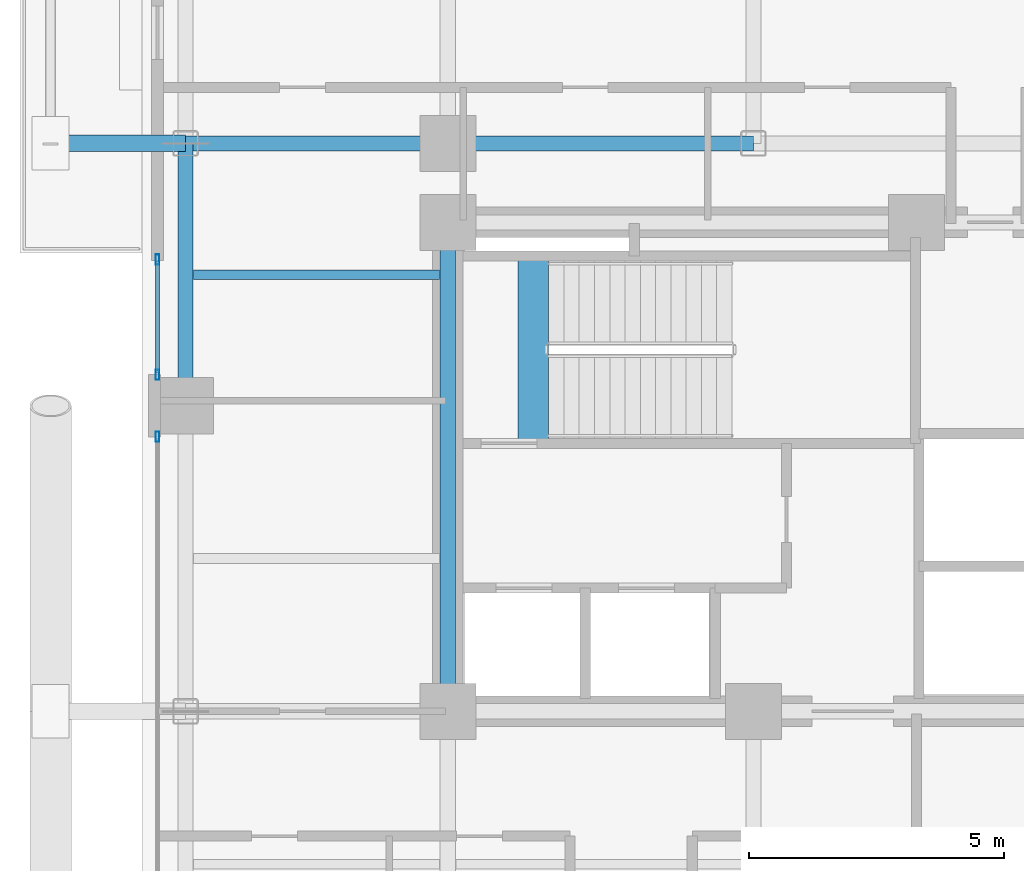
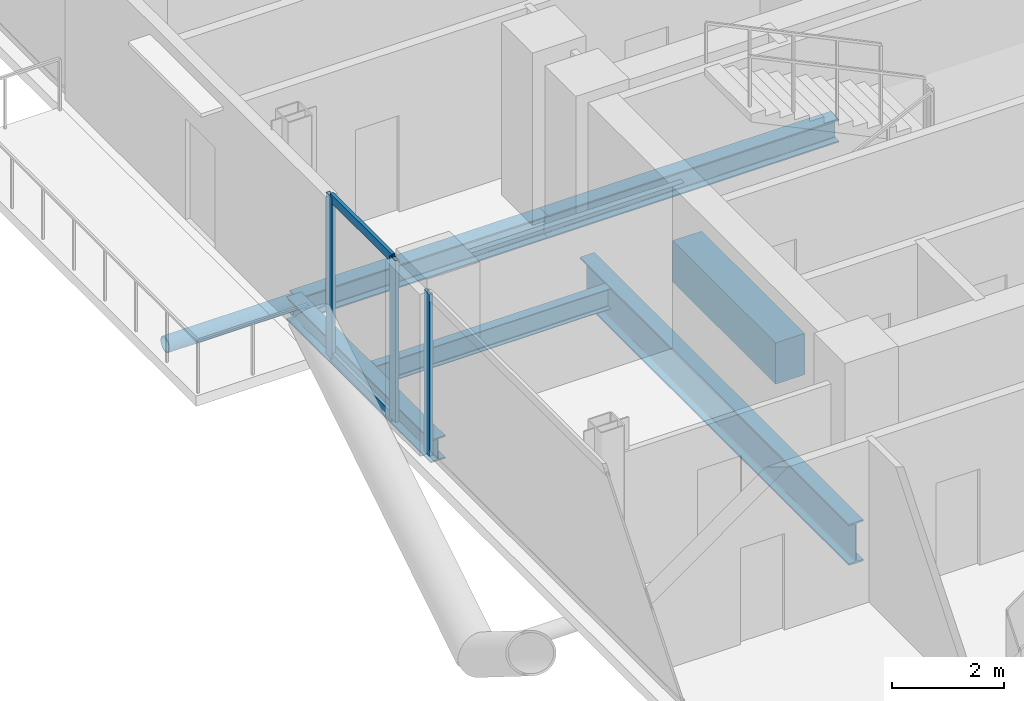
# One storey, part 7 of 28: 6 beams, 6 members, 2 elements without a shape of their own.
"""IFC4 building model written with IfcOpenShell, lengths in metres."""

from ifc_helpers import new_model, si_unit, direction, frame, origin, origin_2d, place, context, subcontext, project, spatial, rectangle, hollow_rectangle, hollow_circle, i_section, extrude, material, layer, layer_set, material_profile, profile_set, type_object, element, aggregate, save


model = new_model("IFC4")

# Units and contexts
model_context = context("Model", 3, precision=1e-05, world=origin(), true_north=direction((0.0, 1.0)))
body_context = subcontext(model_context, "Body", "Model", "MODEL_VIEW")
ifc_project = project(units=[si_unit("LENGTHUNIT", "METRE"), si_unit("AREAUNIT", "SQUARE_METRE"), si_unit("VOLUMEUNIT", "CUBIC_METRE"), si_unit("PLANEANGLEUNIT", "RADIAN"), si_unit("MASSUNIT", "GRAM", prefix="KILO"), si_unit("THERMODYNAMICTEMPERATUREUNIT", "KELVIN"), si_unit("POWERUNIT", "WATT")], contexts=[model_context])

# Site, building, storey
site_placement = place(None, origin())
site = spatial("IfcSite", under=ifc_project, at=site_placement, CompositionType="ELEMENT")
building_placement = place(site_placement, origin())
building = spatial("IfcBuilding", under=site, at=building_placement, Name="Svarakhadi Broadcast Tower", CompositionType="ELEMENT")
storey_placement = place(building_placement, frame((0.0, 0.0, 149.39990234375)))
storey = spatial("IfcBuildingStorey", under=building, at=storey_placement, Name="L36", CompositionType="ELEMENT", Elevation=149.39990234375)

# Beam
ifc_material_1 = material(Name="Steel S355J2 (IS 2062 E350C)", Category="steel")
ifc_material_profile_1 = material_profile(ifc_material_1, i_section(OverallWidth=0.18994140625, OverallDepth=0.449951171875, WebThickness=0.009521484375, FlangeThickness=0.0146484375, FilletRadius=0.02099609375, at=origin_2d()), Name="NPB 450x190x78")
ifc_profile_set_1 = profile_set([ifc_material_profile_1], Name="Steel S355J2 (IS 2062 E350C)")
beam_type_1 = type_object("IfcBeamType", Name="Beam_NPB450", PredefinedType="BEAM", material=ifc_profile_set_1)
beam_1_placement = place(storey_placement, frame((1.010009765625, 26.574951171875, -0.449951171875), z_axis=(1.0, 0.0, 0.0), x_axis=(0.0, 1.0, 0.0)))
element("IfcBeam", 1, at=beam_1_placement, inside=storey, type_object=beam_type_1, Name="L36 Secondary Composite Beam SB004", PredefinedType="BEAM", context=body_context, shape_type="SweptSolid", body=[
    extrude(i_section(OverallWidth=0.18994140625, OverallDepth=0.449951171875, WebThickness=0.009521484375, FlangeThickness=0.0146484375, FilletRadius=0.02099609375, at=origin_2d()), origin(), (0.0, 0.0, 1.0), 4.830078125),
])

# Curtain wall, member
ifc_material_2 = material(Name="Anodised Bronze Aluminium AA 6063-T6", Category="aluminium")
ifc_layer = layer(ifc_material_2, 0.199951171875)
ifc_layer_set = layer_set([ifc_layer], Name="Anodised Bronze Aluminium AA 6063-T6")
curtain_wall_type = type_object("IfcCurtainWallType", Name="CW_Sys_03", PredefinedType="NOTDEFINED", material=ifc_layer_set)
curtain_wall_1_placement = place(storey_placement, origin())
curtain_wall_1 = element("IfcCurtainWall", 2, at=curtain_wall_1_placement, inside=storey, type_object=curtain_wall_type, Name="L36 West Curtain Wall 02 Bay 2", PredefinedType="NOTDEFINED")
ifc_material_profile_2 = material_profile(ifc_material_2, hollow_rectangle(XDim=0.074951171875, YDim=0.199951171875, WallThickness=0.005615234375, at=origin_2d()), Name="ALU MULLION 200x75x6")
ifc_profile_set_2 = profile_set([ifc_material_profile_2], Name="Anodised Bronze Aluminium AA 6063-T6")
member_type_1 = type_object("IfcMemberType", Name="CW_Sys_03_Mul", PredefinedType="MULLION", material=ifc_profile_set_2)
member_1_placement = place(storey_placement, frame((0.300048828125, 23.392578125, 0.0), z_axis=(0.0, 0.0, 1.0), x_axis=(-1.0, 0.0, 0.0)))
member_1 = element("IfcMember", 3, at=member_1_placement, type_object=member_type_1, Name="CW-03 mullion 2", PredefinedType="MULLION", context=body_context, shape_type="SweptSolid", body=[
    extrude(hollow_rectangle(XDim=0.074951171875, YDim=0.199951171875, WallThickness=0.005615234375, at=origin_2d()), origin(), (0.0, 0.0, 1.0), 3.525146484375),
])
aggregate(curtain_wall_1, [member_1])

# Curtain wall, members
curtain_wall_2_placement = place(storey_placement, origin())
curtain_wall_2 = element("IfcCurtainWall", 4, at=curtain_wall_2_placement, inside=storey, type_object=curtain_wall_type, Name="L36 West Curtain Wall 02 Bay 3", PredefinedType="NOTDEFINED")
member_2_placement = place(storey_placement, frame((0.300048828125, 24.607421875, 0.0), z_axis=(0.0, 0.0, 1.0), x_axis=(-1.0, 0.0, 0.0)))
member_2 = element("IfcMember", 5, at=member_2_placement, type_object=member_type_1, Name="CW-03 mullion 1", PredefinedType="MULLION", context=body_context, shape_type="SweptSolid", body=[
    extrude(hollow_rectangle(XDim=0.074951171875, YDim=0.199951171875, WallThickness=0.005615234375, at=origin_2d()), origin(), (0.0, 0.0, 1.0), 3.525146484375),
])
member_3_placement = place(storey_placement, frame((0.300048828125, 26.87255859375, 0.0), z_axis=(0.0, 0.0, 1.0), x_axis=(-1.0, 0.0, 0.0)))
member_3 = element("IfcMember", 6, at=member_3_placement, type_object=member_type_1, Name="CW-03 mullion 2", PredefinedType="MULLION", context=body_context, shape_type="SweptSolid", body=[
    extrude(hollow_rectangle(XDim=0.074951171875, YDim=0.199951171875, WallThickness=0.005615234375, at=origin_2d()), origin(), (0.0, 0.0, 1.0), 3.525146484375),
])
ifc_material_profile_3 = material_profile(ifc_material_2, hollow_rectangle(XDim=0.070068359375, YDim=0.18505859375, WallThickness=0.0048828125, at=origin_2d()), Name="ALU TRANSOM 185x70x5")
ifc_profile_set_3 = profile_set([ifc_material_profile_3], Name="Anodised Bronze Aluminium AA 6063-T6")
member_type_2 = type_object("IfcMemberType", Name="CW_Sys_03_Trn", PredefinedType="USERDEFINED", material=ifc_profile_set_3)
member_4_placement = place(storey_placement, frame((0.300048828125, 24.64501953125, 0.03515625), z_axis=(0.0, 1.0, 0.0), x_axis=(-1.0, 0.0, 0.0)))
member_4 = element("IfcMember", 7, at=member_4_placement, type_object=member_type_2, Name="CW-03 transom 1.1", ObjectType="TRANSOM", PredefinedType="USERDEFINED", context=body_context, shape_type="SweptSolid", body=[
    extrude(hollow_rectangle(XDim=0.070068359375, YDim=0.18505859375, WallThickness=0.0048828125, at=origin_2d()), origin(), (0.0, 0.0, 1.0), 2.18994140625),
])
member_5_placement = place(storey_placement, frame((0.300048828125, 24.64501953125, 3.489990234375), z_axis=(0.0, 1.0, 0.0), x_axis=(-1.0, 0.0, 0.0)))
member_5 = element("IfcMember", 8, at=member_5_placement, type_object=member_type_2, Name="CW-03 transom 1.2", ObjectType="TRANSOM", PredefinedType="USERDEFINED", context=body_context, shape_type="SweptSolid", body=[
    extrude(hollow_rectangle(XDim=0.070068359375, YDim=0.18505859375, WallThickness=0.0048828125, at=origin_2d()), origin(), (0.0, 0.0, 1.0), 2.18994140625),
])
aggregate(curtain_wall_2, [member_2, member_3, member_4, member_5])

# Beam
ifc_material_3 = material(Name="Concrete C50/60 (IS 456 M60)", Category="concrete")
ifc_material_profile_4 = material_profile(ifc_material_3, rectangle(XDim=0.60009765625, YDim=0.89990234375, at=origin_2d()), Name="RC 600x900")
ifc_profile_set_4 = profile_set([ifc_material_profile_4], Name="Concrete C50/60 (IS 456 M60)")
beam_type_2 = type_object("IfcBeamType", Name="Coupling_RC600", PredefinedType="USERDEFINED", material=ifc_profile_set_4)
beam_2_placement = place(storey_placement, frame((7.679931640625, 23.260009765625, -0.449951171875), z_axis=(0.0, 1.0, 0.0), x_axis=(-1.0, 0.0, 0.0)))
element("IfcBeam", 9, at=beam_2_placement, inside=storey, type_object=beam_type_2, Name="L36 Stair ST-01 Landing Throat Trimmer Beam CB-01", ObjectType="GIRDER", PredefinedType="USERDEFINED", context=body_context, shape_type="SweptSolid", body=[
    extrude(rectangle(XDim=0.60009765625, YDim=0.89990234375, at=origin_2d()), origin(), (0.0, 0.0, 1.0), 3.679931640625),
])

# Member
ifc_material_4 = material(Name="Steel S460ML (IS 2062 E450BR)", Category="steel")
ifc_material_profile_5 = material_profile(ifc_material_4, hollow_circle(Radius=0.161865234375, WallThickness=0.01611328125, at=origin_2d()), Name="CHS 323.9x16")
ifc_profile_set_5 = profile_set([ifc_material_profile_5], Name="Steel S460ML (IS 2062 E450BR)")
member_type_3 = type_object("IfcMemberType", Name="Exo_Radial_Strut_Z2", PredefinedType="STRUT", material=ifc_profile_set_5)
member_6_placement = place(storey_placement, frame((-1.800048828125, 29.14990234375, -0.386962890625), z_axis=(1.0, 0.0, 0.0), x_axis=(0.0, 1.0, 0.0)))
element("IfcMember", 10, at=member_6_placement, inside=storey, type_object=member_type_3, Name="L36 Exoskeleton Radial Tie Strut W07", PredefinedType="STRUT", context=body_context, shape_type="SweptSolid", body=[
    extrude(hollow_circle(Radius=0.161865234375, WallThickness=0.01611328125, at=origin_2d()), origin(), (0.0, 0.0, 1.0), 2.650146484375),
])

# Beams
ifc_material_profile_6 = material_profile(ifc_material_1, i_section(OverallWidth=0.300048828125, OverallDepth=0.5, WebThickness=0.014404296875, FlangeThickness=0.028076171875, FilletRadius=0.027099609375, at=origin_2d()), Name="WPB 500x300x187")
ifc_profile_set_6 = profile_set([ifc_material_profile_6], Name="Steel S355J2 (IS 2062 E350C)")
beam_type_3 = type_object("IfcBeamType", Name="Girder_WPB500", PredefinedType="USERDEFINED", material=ifc_profile_set_6)
beam_3_placement = place(storey_placement, frame((0.85009765625, 29.14990234375, -0.474853515625), z_axis=(1.0, 0.0, 0.0), x_axis=(0.0, 1.0, 0.0)))
element("IfcBeam", 11, at=beam_3_placement, inside=storey, type_object=beam_type_3, Name="L36 Primary E-W Girder G032", ObjectType="GIRDER", PredefinedType="USERDEFINED", context=body_context, shape_type="SweptSolid", body=[
    extrude(i_section(OverallWidth=0.300048828125, OverallDepth=0.5, WebThickness=0.014404296875, FlangeThickness=0.028076171875, FilletRadius=0.027099609375, at=origin_2d()), origin(), (0.0, 0.0, 1.0), 5.14990234375),
])
beam_4_placement = place(storey_placement, frame((6.0, 29.14990234375, -0.474853515625), z_axis=(1.0, 0.0, 0.0), x_axis=(0.0, 1.0, 0.0)))
element("IfcBeam", 12, at=beam_4_placement, inside=storey, type_object=beam_type_3, Name="L36 Primary E-W Girder G033", ObjectType="GIRDER", PredefinedType="USERDEFINED", context=body_context, shape_type="SweptSolid", body=[
    extrude(i_section(OverallWidth=0.300048828125, OverallDepth=0.5, WebThickness=0.014404296875, FlangeThickness=0.028076171875, FilletRadius=0.027099609375, at=origin_2d()), origin(), (0.0, 0.0, 1.0), 6.0),
])
beam_5_placement = place(storey_placement, frame((0.85009765625, 24.0, -0.474853515625), z_axis=(0.0, 1.0, 0.0), x_axis=(-1.0, 0.0, 0.0)))
element("IfcBeam", 13, at=beam_5_placement, inside=storey, type_object=beam_type_3, Name="L36 Primary N-S Girder G043", ObjectType="GIRDER", PredefinedType="USERDEFINED", context=body_context, shape_type="SweptSolid", body=[
    extrude(i_section(OverallWidth=0.300048828125, OverallDepth=0.5, WebThickness=0.014404296875, FlangeThickness=0.028076171875, FilletRadius=0.027099609375, at=origin_2d()), origin(), (0.0, 0.0, 1.0), 5.14990234375),
])
ifc_material_profile_7 = material_profile(ifc_material_4, i_section(OverallWidth=0.300048828125, OverallDepth=0.89990234375, WebThickness=0.0185546875, FlangeThickness=0.034912109375, FilletRadius=0.030029296875, at=origin_2d()), Name="WPB 900x300x291")
ifc_profile_set_7 = profile_set([ifc_material_profile_7], Name="Steel S460ML (IS 2062 E450BR)")
beam_type_4 = type_object("IfcBeamType", Name="Girder_WPB900", PredefinedType="USERDEFINED", material=ifc_profile_set_7)
beam_6_placement = place(storey_placement, frame((6.0, 18.0, -0.6748046875), z_axis=(0.0, 1.0, 0.0), x_axis=(-1.0, 0.0, 0.0)))
element("IfcBeam", 14, at=beam_6_placement, inside=storey, type_object=beam_type_4, Name="L36 Primary N-S Girder G048", ObjectType="GIRDER", PredefinedType="USERDEFINED", context=body_context, shape_type="SweptSolid", body=[
    extrude(i_section(OverallWidth=0.300048828125, OverallDepth=0.89990234375, WebThickness=0.0185546875, FlangeThickness=0.034912109375, FilletRadius=0.030029296875, at=origin_2d()), origin(), (0.0, 0.0, 1.0), 9.60009765625),
])

save(model, "model.ifc")
